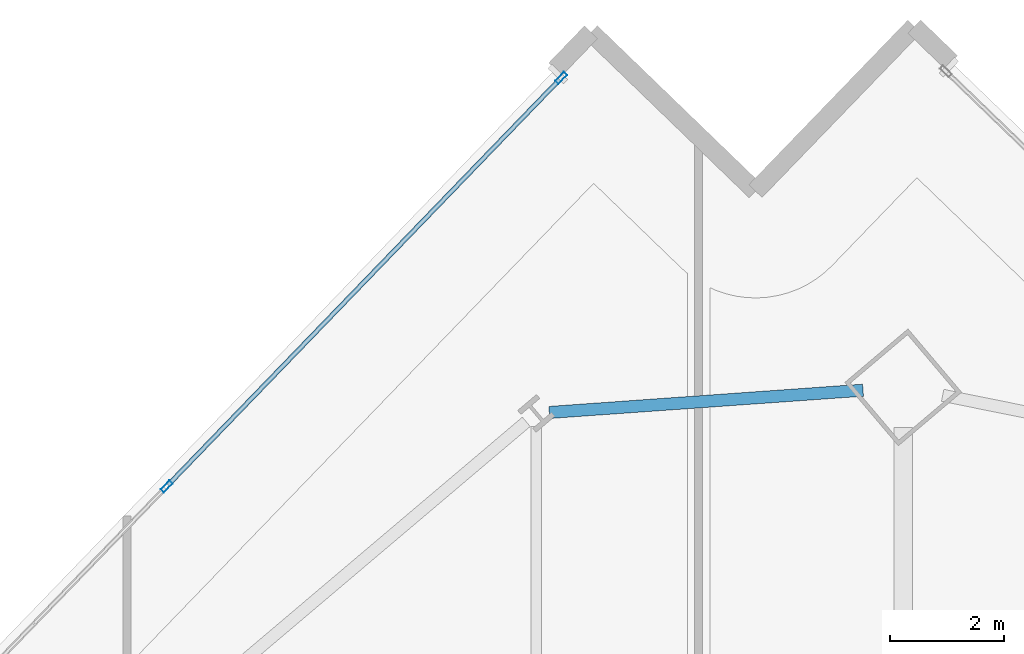
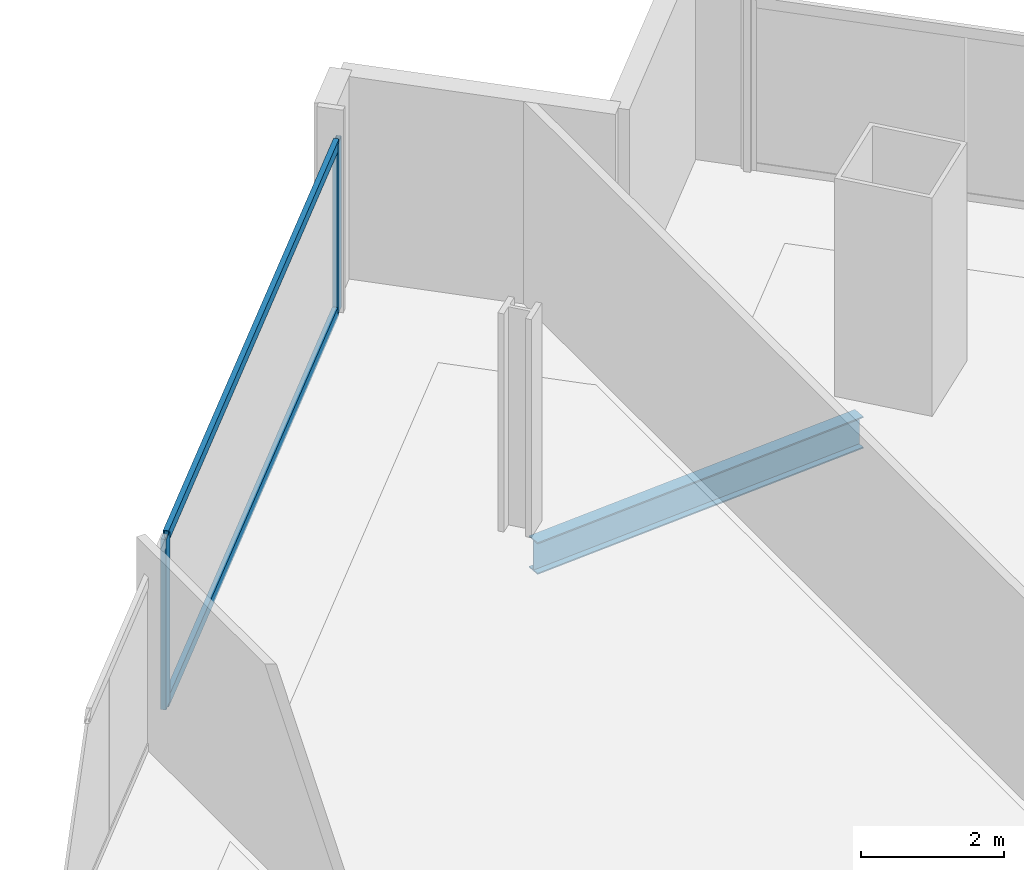
# One storey, part 19 of 33: 4 members, 1 beam, 1 element without a shape of its own.
"""IFC4 building model written with IfcOpenShell, lengths in metres."""

from ifc_helpers import new_model, si_unit, direction, frame, origin, origin_2d, place, context, subcontext, project, spatial, hollow_rectangle, i_section, extrude, material, material_profile, profile_set, type_object, element, aggregate, save


model = new_model("IFC4")

# Units and contexts
model_context = context("Model", 3, precision=1e-05, world=origin(), true_north=direction((0.0, 1.0)))
body_context = subcontext(model_context, "Body", "Model", "MODEL_VIEW")
ifc_project = project(units=[si_unit("LENGTHUNIT", "METRE"), si_unit("AREAUNIT", "SQUARE_METRE"), si_unit("VOLUMEUNIT", "CUBIC_METRE"), si_unit("PLANEANGLEUNIT", "RADIAN"), si_unit("MASSUNIT", "GRAM", prefix="KILO")], contexts=[model_context])

# Site, building, storey
site_placement = place(None, origin())
site = spatial("IfcSite", under=ifc_project, at=site_placement, CompositionType="ELEMENT")
building_placement = place(site_placement, origin())
building = spatial("IfcBuilding", under=site, at=building_placement, Name="Haldenkirk Collegiate Tower", CompositionType="ELEMENT")
storey_placement = place(building_placement, frame((0.0, 0.0, 181.949951171875)))
storey = spatial("IfcBuildingStorey", under=building, at=storey_placement, Name="L45", CompositionType="ELEMENT", Elevation=181.949951171875)

# Beam
ifc_material_1 = material(Name="Steel ASTM A992 Grade 50", Category="steel")
ifc_material_profile_1 = material_profile(ifc_material_1, i_section(OverallWidth=0.2119140625, OverallDepth=0.5439453125, WebThickness=0.01318359375, FlangeThickness=0.021240234375, at=origin_2d()), Name="W21X83")
ifc_profile_set_1 = profile_set([ifc_material_profile_1], Name="Steel ASTM A992 Grade 50")
beam_type = type_object("IfcBeamType", Name="BM-SPANDREL-W21X83", PredefinedType="SPANDREL", material=ifc_profile_set_1)
beam_placement = place(storey_placement, frame((38.373779296875, 51.025146484375, -0.56201171875), z_axis=(-0.997489017738, -0.070821320891, 0.0), x_axis=(0.070821320891, -0.997489017738, 0.0)))
element("IfcBeam", 1, at=beam_placement, inside=storey, type_object=beam_type, Name="L45 perimeter spandrel beam 09", PredefinedType="SPANDREL", context=body_context, shape_type="SweptSolid", body=[
    extrude(i_section(OverallWidth=0.2119140625, OverallDepth=0.5439453125, WebThickness=0.01318359375, FlangeThickness=0.021240234375, at=origin_2d()), origin(), (0.0, 0.0, 1.0), 5.501953125),
])

# Curtain wall, members
ifc_material_2 = material(Name="Anodised architectural bronze aluminium", Category="aluminium")
curtain_wall_type = type_object("IfcCurtainWallType", Name="CW-SYS1-CONVEX-LOW", PredefinedType="USERDEFINED", material=ifc_material_2)
curtain_wall_placement = place(storey_placement, origin())
curtain_wall = element("IfcCurtainWall", 2, at=curtain_wall_placement, inside=storey, type_object=curtain_wall_type, Name="L45 Lower tower convex bronze-framed unitised curtain wall", ObjectType="UNITISED CURTAIN WALL", PredefinedType="USERDEFINED")
ifc_material_profile_2 = material_profile(ifc_material_2, hollow_rectangle(XDim=0.080078125, YDim=0.219970703125, WallThickness=0.0048828125, at=origin_2d()), Name="CW-MUL-1A")
ifc_profile_set_2 = profile_set([ifc_material_profile_2], Name="Anodised architectural bronze aluminium")
member_type_1 = type_object("IfcMemberType", Name="CW-MUL-1A", PredefinedType="MULLION", material=ifc_profile_set_2)
member_1_placement = place(storey_placement, frame((26.190185546875, 49.340087890625, 0.0), z_axis=(0.0, 0.0, 1.0), x_axis=(-0.719341171776, 0.694656950291, 0.0)))
member_1 = element("IfcMember", 3, at=member_1_placement, type_object=member_type_1, Name="CW-1A mullion 4", PredefinedType="MULLION", context=body_context, shape_type="SweptSolid", body=[
    extrude(hollow_rectangle(XDim=0.080078125, YDim=0.219970703125, WallThickness=0.0048828125, at=origin_2d()), origin(), (0.0, 0.0, 1.0), 2.9111328125),
])
member_2_placement = place(storey_placement, frame((33.091552734375, 56.48681640625, 0.0), z_axis=(0.0, 0.0, 1.0), x_axis=(-0.719341171776, 0.694656950291, 0.0)))
member_2 = element("IfcMember", 4, at=member_2_placement, type_object=member_type_1, Name="CW-1A mullion 5", PredefinedType="MULLION", context=body_context, shape_type="SweptSolid", body=[
    extrude(hollow_rectangle(XDim=0.080078125, YDim=0.219970703125, WallThickness=0.0048828125, at=origin_2d()), origin(), (0.0, 0.0, 1.0), 2.9111328125),
])
ifc_material_profile_3 = material_profile(ifc_material_2, hollow_rectangle(XDim=0.080078125, YDim=0.179931640625, WallThickness=0.0048828125, at=origin_2d()), Name="CW-TRN-1A")
ifc_profile_set_3 = profile_set([ifc_material_profile_3], Name="Anodised architectural bronze aluminium")
member_type_2 = type_object("IfcMemberType", Name="CW-TRN-1A", PredefinedType="USERDEFINED", material=ifc_profile_set_3)
member_3_placement = place(storey_placement, frame((26.218017578125, 49.368896484375, 0.0400390625), z_axis=(0.694649333564, 0.719348527057, 0.0), x_axis=(-0.719348527057, 0.694649333564, 0.0)))
member_3 = element("IfcMember", 5, at=member_3_placement, type_object=member_type_2, Name="CW-1A transom 4.1", ObjectType="TRANSOM", PredefinedType="USERDEFINED", context=body_context, shape_type="SweptSolid", body=[
    extrude(hollow_rectangle(XDim=0.080078125, YDim=0.179931640625, WallThickness=0.0048828125, at=origin_2d()), origin(), (0.0, 0.0, 1.0), 9.85498046875),
])
member_4_placement = place(storey_placement, frame((26.218017578125, 49.368896484375, 2.87109375), z_axis=(0.694649333564, 0.719348527057, 0.0), x_axis=(-0.719348527057, 0.694649333564, 0.0)))
member_4 = element("IfcMember", 6, at=member_4_placement, type_object=member_type_2, Name="CW-1A transom 4.2", ObjectType="TRANSOM", PredefinedType="USERDEFINED", context=body_context, shape_type="SweptSolid", body=[
    extrude(hollow_rectangle(XDim=0.080078125, YDim=0.179931640625, WallThickness=0.0048828125, at=origin_2d()), origin(), (0.0, 0.0, 1.0), 9.85498046875),
])
aggregate(curtain_wall, [member_1, member_2, member_3, member_4])

save(model, "model.ifc")
